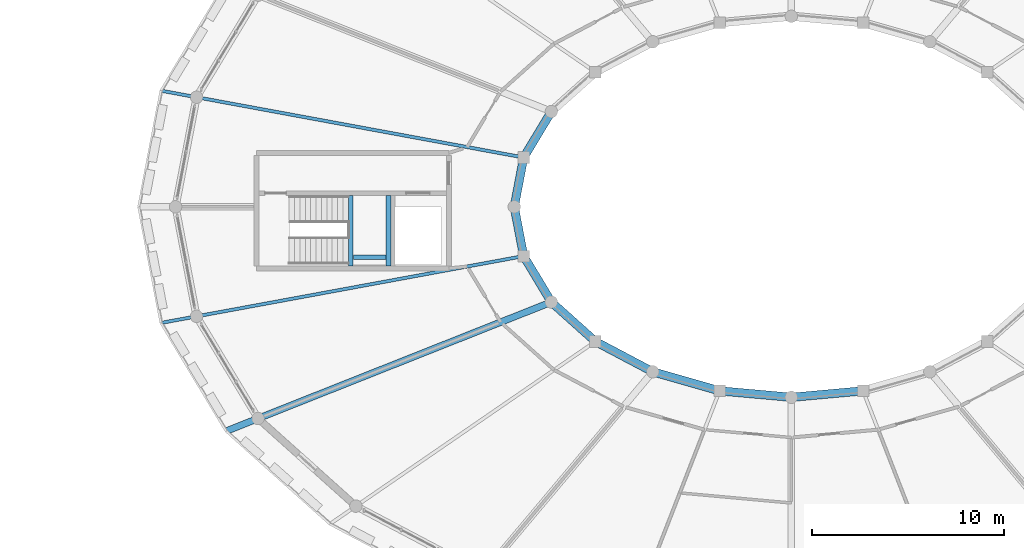
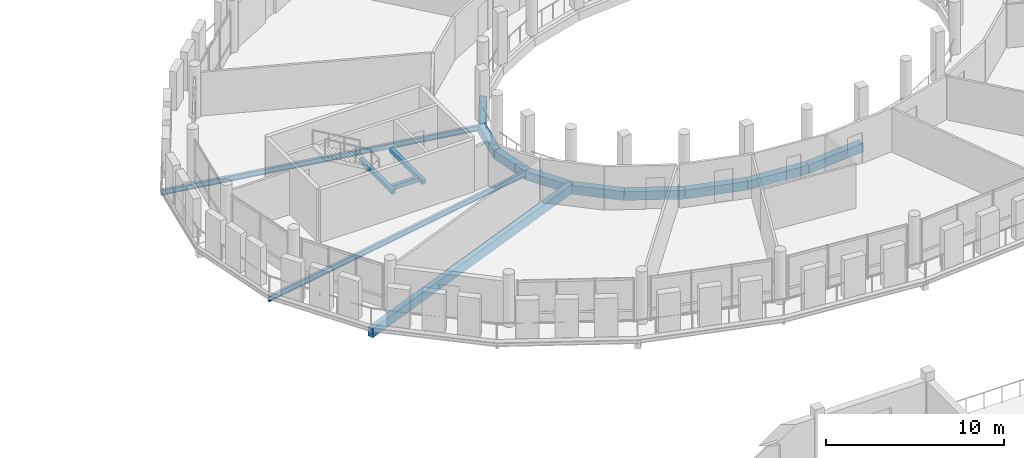
# One storey, part 25 of 93: 15 beams.
"""IFC4 building model written with IfcOpenShell, lengths in metres."""

import ifcopenshell
import ifcopenshell.guid

model = None  # the IFC model being written
_history = None  # IfcOwnerHistory: only IFC2X3 demands one
_inside = {}  # id of a spatial element -> (the spatial element, [elements in it])
_under = {}  # id of a project, library or spatial element -> (it, [spatial elements below it])
_declared = {}  # id of a project -> (the project, [libraries it declares])
_typed = {}  # id of a type object -> (the type object, [elements of that type])
_made_of = {}  # id of a material, layer set ... -> (it, [elements and type objects made of it])


def new_model(schema):
    """Start an empty IFC model of exactly this schema.

    Asked for "IFC4X3", IfcOpenShell would pick the latest addendum, in which some entities
    have other attributes; the version numbers below select the first issue.
    IFC2X3 requires an IfcOwnerHistory on every rooted entity: one is made here for all.
    """
    global model, _history
    if schema == "IFC4X3":
        model = ifcopenshell.file(schema_version=(4, 3, 0, 0))
    else:
        model = ifcopenshell.file(schema=schema)
    _inside.clear()
    _under.clear()
    _declared.clear()
    _typed.clear()
    _made_of.clear()
    _history = None
    if model.schema == "IFC2X3":
        org = make("IfcOrganization", Name="unknown")
        user = make(
            "IfcPersonAndOrganization",
            ThePerson=make("IfcPerson", FamilyName="unknown"),
            TheOrganization=org,
        )
        app = make(
            "IfcApplication",
            ApplicationDeveloper=org,
            Version="unknown",
            ApplicationFullName="unknown",
            ApplicationIdentifier="unknown",
        )
        _history = make(
            "IfcOwnerHistory",
            OwningUser=user,
            OwningApplication=app,
            ChangeAction="ADDED",
            CreationDate=0,
        )
    return model


def make(cls, **values):
    """One entity of the class cls with the attributes given. An attribute that is None is left unset."""
    return model.create_entity(
        cls, **{name: value for name, value in values.items() if value is not None}
    )


def rooted(cls, **values):
    """An entity with a GlobalId (a new one), such as an element, a storey or a relation."""
    return make(cls, GlobalId=ifcopenshell.guid.new(), OwnerHistory=_history, **values)


def si_unit(unit_type, name, prefix=None):
    """IfcSIUnit, for example si_unit("LENGTHUNIT", "METRE", prefix="MILLI")."""
    return make("IfcSIUnit", UnitType=unit_type, Prefix=prefix, Name=name)


def assignment(units):
    """IfcUnitAssignment: the units of a project."""
    return None if units is None else make("IfcUnitAssignment", Units=units)


def point(xyz):
    """IfcCartesianPoint."""
    return None if xyz is None else make("IfcCartesianPoint", Coordinates=xyz)


def direction(xyz):
    """IfcDirection."""
    return None if xyz is None else make("IfcDirection", DirectionRatios=xyz)


def frame(location, z_axis=None, x_axis=None):
    """IfcAxis2Placement3D, a coordinate frame: its origin and axes. An axis left out is left unset."""
    return make(
        "IfcAxis2Placement3D",
        Location=point(location),
        Axis=direction(z_axis),
        RefDirection=direction(x_axis),
    )


def frame_2d(location, x_axis=None):
    """IfcAxis2Placement2D, a coordinate frame in the plane: its origin and x axis."""
    return make(
        "IfcAxis2Placement2D", Location=point(location), RefDirection=direction(x_axis)
    )


def origin():
    """The frame at (0, 0, 0) with its axes left unset."""
    return frame((0.0, 0.0, 0.0))


def origin_2d():
    """The frame at (0, 0) in the plane with its x axis left unset."""
    return frame_2d((0.0, 0.0))


def place(relative_to, where):
    """IfcLocalPlacement: puts the frame where relative to a parent placement (None: the world)."""
    return make(
        "IfcLocalPlacement", PlacementRelTo=relative_to, RelativePlacement=where
    )


def context(
    kind, dimensions, precision=None, world=None, true_north=None, identifier=None
):
    """IfcGeometricRepresentationContext, for example the 3D "Model" context."""
    return make(
        "IfcGeometricRepresentationContext",
        ContextIdentifier=identifier,
        ContextType=kind,
        CoordinateSpaceDimension=dimensions,
        Precision=precision,
        WorldCoordinateSystem=world,
        TrueNorth=true_north,
    )


def subcontext(parent, identifier, kind, view, scale=None):
    """IfcGeometricRepresentationSubContext, for example "Body" below "Model"."""
    return make(
        "IfcGeometricRepresentationSubContext",
        ContextIdentifier=identifier,
        ContextType=kind,
        ParentContext=parent,
        TargetScale=scale,
        TargetView=view,
    )


def project(units=None, contexts=None):
    """IfcProject with its units and contexts."""
    return rooted(
        "IfcProject",
        Name="project",
        RepresentationContexts=contexts,
        UnitsInContext=assignment(units),
    )


def spatial(cls, under=None, at=None, **own):
    """A site, building, storey or space (cls), placed at a placement, below another one or the project."""
    s = rooted(cls, ObjectPlacement=at, **own)
    if under is not None:
        _under.setdefault(under.id(), (under, []))[1].append(s)
    return s


def profile(cls, at=None, kind="AREA", **sizes):
    """A parametric profile (cls). Its sizes go by their IFC names, for example OverallWidth=200.0."""
    return make(cls, ProfileType=kind, Position=at, **sizes)


def rectangle(**sizes):
    """IfcRectangleProfileDef."""
    return profile("IfcRectangleProfileDef", **sizes)


def i_section(**sizes):
    """IfcIShapeProfileDef."""
    return profile("IfcIShapeProfileDef", **sizes)


def extrude(swept, where, along, depth):
    """IfcExtrudedAreaSolid: the profile swept, set in the frame where, extruded along a direction by depth."""
    return make(
        "IfcExtrudedAreaSolid",
        SweptArea=swept,
        Position=where,
        ExtrudedDirection=direction(along),
        Depth=depth,
    )


def shape(context_of_items, identifier, shape_type, items):
    """IfcShapeRepresentation: the items that make up one representation, for example the "Body"."""
    return make(
        "IfcShapeRepresentation",
        ContextOfItems=context_of_items,
        RepresentationIdentifier=identifier,
        RepresentationType=shape_type,
        Items=items,
    )


def material(Name=None, Category=None):
    """IfcMaterial."""
    return make("IfcMaterial", Name=Name, Category=Category)


def material_profile(
    of_material, cross_section, Name=None, Category=None, Priority=None
):
    """IfcMaterialProfile: a cross section and its material."""
    return make(
        "IfcMaterialProfile",
        Name=Name,
        Material=of_material,
        Profile=cross_section,
        Priority=Priority,
        Category=Category,
    )


def profile_set(profiles, Name=None, composite=None):
    """IfcMaterialProfileSet."""
    return make(
        "IfcMaterialProfileSet",
        Name=Name,
        MaterialProfiles=profiles,
        CompositeProfile=composite,
    )


def made_of(thing, what):
    """Note that an element or type object is made of a material, layer set ...; save() writes the relation."""
    if what is not None:
        _made_of.setdefault(what.id(), (what, []))[1].append(thing)
    return thing


def type_object(cls, material=None, **own):
    """A type object (cls), such as IfcWallType, which elements share."""
    return made_of(rooted(cls, **own), material)


def element(
    cls,
    number,
    at=None,
    inside=None,
    cuts=None,
    type_object=None,
    material=None,
    context=None,
    identifier="Body",
    shape_type=None,
    held_by="IfcProductDefinitionShape",
    body=None,
    shapes=None,
    **own,
):
    """One element of the class cls, such as IfcWall. Its Tag is "e" and its number.

    at: its placement. inside: the storey or other place that contains it. cuts: it is an
    opening in that element (IfcRelVoidsElement). A single representation is given by context,
    identifier, shape_type and body (its items); several are given by shapes. held_by: the class
    of the entity that holds the representations. save() writes the other relations.
    """
    e = rooted(cls, Tag="e%d" % number, ObjectPlacement=at, **own)
    if body is not None:
        shapes = [shape(context, identifier, shape_type, body)]
    if shapes is not None:
        e.Representation = make(held_by, Representations=shapes)
    if inside is not None:
        _inside.setdefault(inside.id(), (inside, []))[1].append(e)
    if cuts is not None:
        rooted(
            "IfcRelVoidsElement", RelatingBuildingElement=cuts, RelatedOpeningElement=e
        )
    if type_object is not None:
        _typed.setdefault(type_object.id(), (type_object, []))[1].append(e)
    return made_of(e, material)


def aggregate(whole, parts):
    """IfcRelAggregates: a whole, such as a stair, and the parts it consists of."""
    return rooted("IfcRelAggregates", RelatingObject=whole, RelatedObjects=parts)


def save(model, path):
    """Write the relations noted so far, then the file.

    IfcRelAggregates (storeys below a building ...), IfcRelContainedInSpatialStructure (elements
    in a storey), IfcRelDefinesByType, IfcRelAssociatesMaterial and IfcRelDeclares: one each for
    every whole, place, type object, material and project.
    """
    for whole, parts in _under.values():
        aggregate(whole, parts)
    for where, things in _inside.values():
        rooted(
            "IfcRelContainedInSpatialStructure",
            RelatedElements=things,
            RelatingStructure=where,
        )
    for kind, things in _typed.values():
        rooted("IfcRelDefinesByType", RelatedObjects=things, RelatingType=kind)
    for what, things in _made_of.values():
        rooted("IfcRelAssociatesMaterial", RelatedObjects=things, RelatingMaterial=what)
    for by, libraries in _declared.values():
        rooted("IfcRelDeclares", RelatingContext=by, RelatedDefinitions=libraries)
    model.write(path)


model = new_model("IFC4")

# Units and contexts
model_context = context("Model", 3, precision=1e-05, world=origin(), true_north=direction((0.0, 1.0)))
body_context = subcontext(model_context, "Body", "Model", "MODEL_VIEW")
ifc_project = project(units=[si_unit("LENGTHUNIT", "METRE"), si_unit("AREAUNIT", "SQUARE_METRE"), si_unit("VOLUMEUNIT", "CUBIC_METRE"), si_unit("PLANEANGLEUNIT", "RADIAN"), si_unit("MASSUNIT", "GRAM", prefix="KILO")], contexts=[model_context])

# Site, building, storey
site_placement = place(None, origin())
site = spatial("IfcSite", under=ifc_project, at=site_placement, CompositionType="ELEMENT")
building_placement = place(site_placement, origin())
building = spatial("IfcBuilding", under=site, at=building_placement, Name="Zornivar Specialist Clinic", CompositionType="ELEMENT")
storey_placement = place(building_placement, frame((0.0, 0.0, 8.39990234375)))
storey = spatial("IfcBuildingStorey", under=building, at=storey_placement, Name="L02", CompositionType="ELEMENT", Elevation=8.39990234375)

# Beams
ifc_material_1 = material(Name="Concrete C30/37", Category="concrete")
ifc_material_profile_1 = material_profile(ifc_material_1, rectangle(XDim=0.25, YDim=0.300048828125, at=origin_2d()), Name="RC 250x300")
ifc_profile_set_1 = profile_set([ifc_material_profile_1], Name="Concrete C30/37")
beam_type_1 = type_object("IfcBeamType", Name="BM-LAND-250x300", PredefinedType="BEAM", material=ifc_profile_set_1)
for number, where, z_axis, x_axis, name in (
    (1, (70.699951171875, 54.530029296875, 1.6201171875), (0.0, 1.0, 0.0), (-1.0, 0.0, 0.0), "bm:stair:C3:L02:lW"),
    (2, (72.659912109375, 54.530029296875, 1.6201171875), (0.0, 1.0, 0.0), (-1.0, 0.0, 0.0), "bm:stair:C3:L02:lE"),
):
    element("IfcBeam", number, at=place(storey_placement, frame(where, z_axis=z_axis, x_axis=x_axis)), inside=storey, type_object=beam_type_1, Name=name, PredefinedType="BEAM", context=body_context, shape_type="SweptSolid", body=[
        extrude(rectangle(XDim=0.25, YDim=0.300048828125, at=origin_2d()), origin(), (0.0, 0.0, 1.0), 3.669921875),
    ])
beam_1_placement = place(storey_placement, frame((70.8349609375, 54.97998046875, 1.6201171875), z_axis=(1.0, 0.0, 0.0), x_axis=(0.0, 1.0, 0.0)))
element("IfcBeam", 3, at=beam_1_placement, inside=storey, type_object=beam_type_1, Name="bm:stair:C3:L02:lS", PredefinedType="BEAM", context=body_context, shape_type="SweptSolid", body=[
    extrude(rectangle(XDim=0.25, YDim=0.300048828125, at=origin_2d()), origin(), (0.0, 0.0, 1.0), 1.68994140625),
])
ifc_material_2 = material(Name="Concrete C30/37", Category="concrete")
ifc_material_profile_2 = material_profile(ifc_material_2, rectangle(XDim=0.43994140625, YDim=0.60009765625, at=origin_2d()), Name="RC 440x600")
ifc_profile_set_2 = profile_set([ifc_material_profile_2], Name="Concrete C30/37")
beam_type_2 = type_object("IfcBeamType", Name="BM-RC-440x600", PredefinedType="BEAM", material=ifc_profile_set_2)
beam_2_placement = place(storey_placement, frame((81.12890625, 62.550048828125, -0.58984375), z_axis=(-0.515873260277, -0.856664916599, 0.0), x_axis=(0.856664916599, -0.515873260277, 0.0)))
element("IfcBeam", 4, at=beam_2_placement, inside=storey, type_object=beam_type_2, Name="bm:V1:L02:inring:10", PredefinedType="BEAM", context=body_context, shape_type="SweptSolid", body=[
    extrude(rectangle(XDim=0.43994140625, YDim=0.60009765625, at=origin_2d()), origin(), (0.0, 0.0, 1.0), 2.78759765625),
])
for number, where, z_axis, x_axis, name in (
    (5, (79.69091796875, 60.162109375, -0.58984375), (-0.188208648203, -0.982129067252, 0.0), (0.982129067252, -0.188208648203, 0.0), "bm:V1:L02:inring:11"),
    (6, (79.199951171875, 57.60009765625, -0.58984375), (0.188208648203, -0.982129067252, 0.0), (0.982129067252, 0.188208648203, 0.0), "bm:V1:L02:inring:12"),
):
    element("IfcBeam", number, at=place(storey_placement, frame(where, z_axis=z_axis, x_axis=x_axis)), inside=storey, type_object=beam_type_2, Name=name, PredefinedType="BEAM", context=body_context, shape_type="SweptSolid", body=[
        extrude(rectangle(XDim=0.43994140625, YDim=0.60009765625, at=origin_2d()), origin(), (0.0, 0.0, 1.0), 2.608642578125),
    ])
beam_3_placement = place(storey_placement, frame((79.69091796875, 55.0380859375, -0.58984375), z_axis=(0.515834556349, -0.856688222445, 0.0), x_axis=(0.856688222445, 0.515834556349, 0.0)))
element("IfcBeam", 7, at=beam_3_placement, inside=storey, type_object=beam_type_2, Name="bm:V1:L02:inring:13", PredefinedType="BEAM", context=body_context, shape_type="SweptSolid", body=[
    extrude(rectangle(XDim=0.43994140625, YDim=0.60009765625, at=origin_2d()), origin(), (0.0, 0.0, 1.0), 2.78759765625),
])
beam_4_placement = place(storey_placement, frame((81.12890625, 52.64990234375, -0.58984375), z_axis=(0.744966948512, -0.667101375822, 0.0), x_axis=(0.667101375822, 0.744966948512, 0.0)))
element("IfcBeam", 8, at=beam_4_placement, inside=storey, type_object=beam_type_2, Name="bm:V1:L02:inring:14", PredefinedType="BEAM", context=body_context, shape_type="SweptSolid", body=[
    extrude(rectangle(XDim=0.43994140625, YDim=0.60009765625, at=origin_2d()), origin(), (0.0, 0.0, 1.0), 3.07275390625),
])
beam_5_placement = place(storey_placement, frame((83.41796875, 50.60009765625, -0.58984375), z_axis=(0.884333274309, -0.466856144813, 0.0), x_axis=(0.466856144813, 0.884333274309, 0.0)))
element("IfcBeam", 9, at=beam_5_placement, inside=storey, type_object=beam_type_2, Name="bm:V1:L02:inring:15", PredefinedType="BEAM", context=body_context, shape_type="SweptSolid", body=[
    extrude(rectangle(XDim=0.43994140625, YDim=0.60009765625, at=origin_2d()), origin(), (0.0, 0.0, 1.0), 3.3720703125),
])
beam_6_placement = place(storey_placement, frame((86.39990234375, 49.02587890625, -0.58984375), z_axis=(0.961783741221, -0.273810217345, 0.0), x_axis=(0.273810217345, 0.961783741221, 0.0)))
element("IfcBeam", 10, at=beam_6_placement, inside=storey, type_object=beam_type_2, Name="bm:V1:L02:inring:16", PredefinedType="BEAM", context=body_context, shape_type="SweptSolid", body=[
    extrude(rectangle(XDim=0.43994140625, YDim=0.60009765625, at=origin_2d()), origin(), (0.0, 0.0, 1.0), 3.611083984375),
])
beam_7_placement = place(storey_placement, frame((89.873046875, 48.037109375, -0.58984375), z_axis=(0.995933214481, -0.090094574165, 0.0), x_axis=(0.090094574165, 0.995933214481, 0.0)))
element("IfcBeam", 11, at=beam_7_placement, inside=storey, type_object=beam_type_2, Name="bm:V1:L02:inring:17", PredefinedType="BEAM", context=body_context, shape_type="SweptSolid", body=[
    extrude(rectangle(XDim=0.43994140625, YDim=0.60009765625, at=origin_2d()), origin(), (0.0, 0.0, 1.0), 3.7421875),
])
beam_8_placement = place(storey_placement, frame((93.60009765625, 47.699951171875, -0.58984375), z_axis=(0.995932684885, 0.090100428289, 0.0), x_axis=(-0.090100428289, 0.995932684885, 0.0)))
element("IfcBeam", 12, at=beam_8_placement, inside=storey, type_object=beam_type_2, Name="bm:V1:L02:inring:18", PredefinedType="BEAM", context=body_context, shape_type="SweptSolid", body=[
    extrude(rectangle(XDim=0.43994140625, YDim=0.60009765625, at=origin_2d()), origin(), (0.0, 0.0, 1.0), 3.741943359375),
])
ifc_material_3 = material(Name="Concrete C30/37", Category="concrete")
ifc_material_profile_3 = material_profile(ifc_material_3, rectangle(XDim=0.35009765625, YDim=0.6201171875, at=origin_2d()), Name="RC 350x620")
ifc_profile_set_3 = profile_set([ifc_material_profile_3], Name="Concrete C30/37")
beam_type_3 = type_object("IfcBeamType", Name="BM-RC-CANT-350x620", PredefinedType="BEAM", material=ifc_profile_set_3)
beam_9_placement = place(storey_placement, frame((81.12890625, 52.64990234375, -0.5498046875), z_axis=(-0.929458420314, -0.368926882873, 0.0), x_axis=(0.368926882873, -0.929458420314, 0.0)))
element("IfcBeam", 13, at=beam_9_placement, inside=storey, type_object=beam_type_3, Name="bm:V1:L02:radcant:14", PredefinedType="BEAM", context=body_context, shape_type="SweptSolid", body=[
    extrude(rectangle(XDim=0.35009765625, YDim=0.6201171875, at=origin_2d()), origin(), (0.0, 0.0, 1.0), 18.187744140625),
])
ifc_material_4 = material(Name="Steel S355J2", Category="steel")
ifc_material_profile_4 = material_profile(ifc_material_4, i_section(OverallWidth=0.169921875, OverallDepth=0.360107421875, WebThickness=0.008056640625, FlangeThickness=0.0126953125, FilletRadius=0.01806640625, at=origin_2d()), Name="IPE 360")
ifc_profile_set_4 = profile_set([ifc_material_profile_4], Name="Steel S355J2")
beam_type_4 = type_object("IfcBeamType", Name="BM-STL-IPE360", PredefinedType="BEAM", material=ifc_profile_set_4)
for number, where, z_axis, x_axis, name in (
    (14, (79.69091796875, 60.162109375, -0.469970703125), (-0.983447695369, 0.18119224728, 0.0), (-0.18119224728, -0.983447695369, 0.0), "bm:V1:L02:radmid:11"),
    (15, (79.69091796875, 55.0380859375, -0.469970703125), (-0.983445426184, -0.181204563183, 0.0), (0.181204563183, -0.983445426184, 0.0), "bm:V1:L02:radmid:13"),
):
    element("IfcBeam", number, at=place(storey_placement, frame(where, z_axis=z_axis, x_axis=x_axis)), inside=storey, type_object=beam_type_4, Name=name, PredefinedType="BEAM", context=body_context, shape_type="SweptSolid", body=[
        extrude(i_section(OverallWidth=0.169921875, OverallDepth=0.360107421875, WebThickness=0.008056640625, FlangeThickness=0.0126953125, FilletRadius=0.01806640625, at=origin_2d()), origin(), (0.0, 0.0, 1.0), 19.17236328125),
    ])

save(model, "model.ifc")
